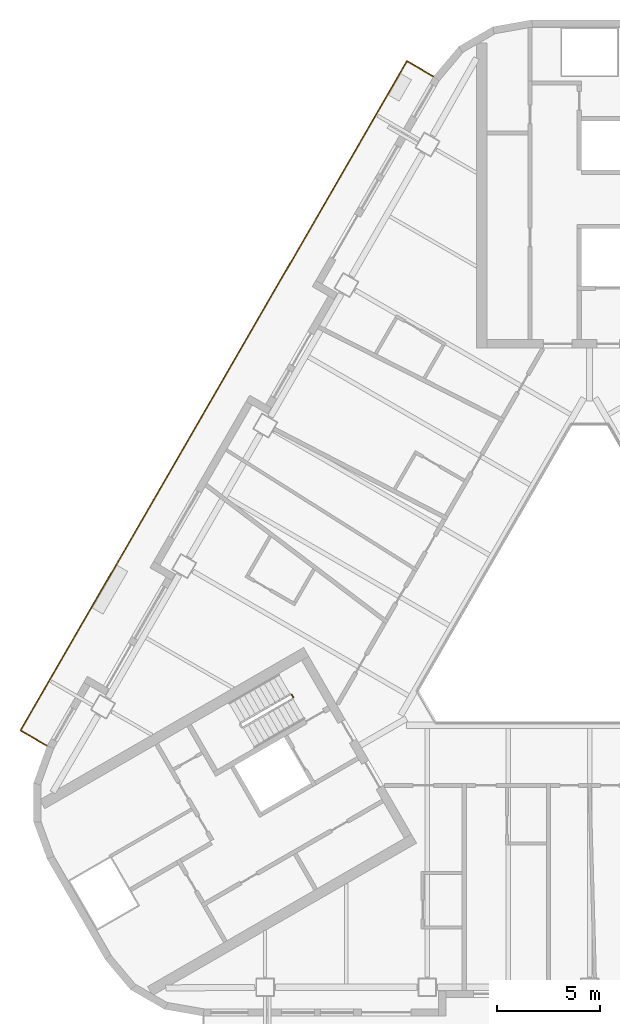
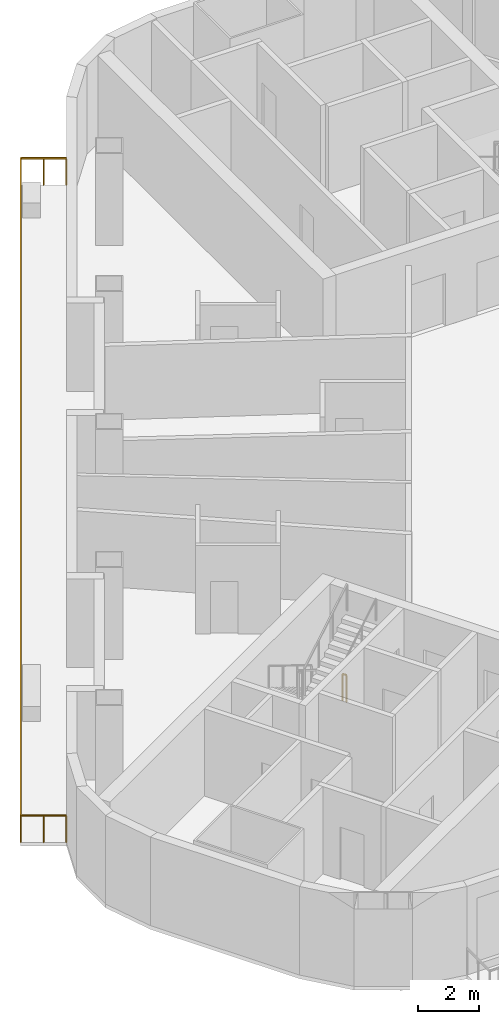
# One storey, part 11 of 14: 2 railings.
"""IFC4 building model written with IfcOpenShell, lengths in metres."""

from ifc_helpers import new_model, si_unit, direction, frame, origin, origin_2d, place, context, subcontext, project, spatial, rectangle, extrude, material, type_object, element, save


model = new_model("IFC4")

# Units and contexts
model_context = context("Model", 3, precision=1e-05, world=origin(), true_north=direction((0.0, 1.0)))
body_context = subcontext(model_context, "Body", "Model", "MODEL_VIEW")
ifc_project = project(units=[si_unit("LENGTHUNIT", "METRE"), si_unit("AREAUNIT", "SQUARE_METRE"), si_unit("VOLUMEUNIT", "CUBIC_METRE"), si_unit("PLANEANGLEUNIT", "RADIAN"), si_unit("MASSUNIT", "GRAM", prefix="KILO")], contexts=[model_context])

# Site, building, storey
site_placement = place(None, origin())
site = spatial("IfcSite", under=ifc_project, at=site_placement, CompositionType="ELEMENT")
building_placement = place(site_placement, origin())
building = spatial("IfcBuilding", under=site, at=building_placement, Name="Apuvela Tower Hotel", CompositionType="ELEMENT")
storey_placement = place(building_placement, frame((0.0, 0.0, 87.199951171875)))
storey = spatial("IfcBuildingStorey", under=building, at=storey_placement, Name="L19", CompositionType="ELEMENT", Elevation=87.199951171875)

# Railings
ifc_material_1 = material(Name="Steel S275 balustrade", Category="steel")
railing_type_1 = type_object("IfcRailingType", Name="COR-GUARD-1100", PredefinedType="GUARDRAIL", material=ifc_material_1)
railing_1_placement = place(storey_placement, frame((-14.500732421875, -3.984130859375, 0.0)))
element("IfcRailing", 1, at=railing_1_placement, inside=storey, type_object=railing_type_1, Name="L19 ST2 stair guard 4", PredefinedType="GUARDRAIL", context=body_context, shape_type="SweptSolid", body=[
    extrude(rectangle(XDim=0.048095703125, YDim=0.048095703125, at=origin_2d()), frame((0.0, 0.0, 1.076171875), z_axis=(0.499816412211, -0.866131372301, 0.0), x_axis=(0.866131372301, 0.499816412211, 0.0)), (0.0, 0.0, 1.0), 0.14990234375),
    extrude(rectangle(XDim=0.0419921875, YDim=0.0419921875, at=origin_2d()), origin(), (0.0, 0.0, 1.0), 1.052001953125),
    extrude(rectangle(XDim=0.0419921875, YDim=0.0419921875, at=origin_2d()), frame((0.074951171875, -0.1298828125, 0.0)), (0.0, 0.0, 1.0), 1.052001953125),
])
ifc_material_2 = material(Name="Stainless steel 316 rail with laminated glass infill", Category="steel")
railing_type_2 = type_object("IfcRailingType", Name="ENV-GUARD-1100", PredefinedType="GUARDRAIL", material=ifc_material_2)
railing_2_placement = place(storey_placement, frame((-7.59228515625, 26.110107421875, 0.0)))
element("IfcRailing", 2, at=railing_2_placement, inside=storey, type_object=railing_type_2, Name="Balcony guard NW L19", PredefinedType="GUARDRAIL", context=body_context, shape_type="SweptSolid", body=[
    extrude(rectangle(XDim=0.050048828125, YDim=0.050048828125, at=origin_2d()), frame((0.0, 0.0, 1.0751953125), z_axis=(-0.86599040064, 0.500060622324, 0.0), x_axis=(-0.500060622324, -0.86599040064, 0.0)), (0.0, 0.0, 1.0), 1.499755859375),
    extrude(rectangle(XDim=0.050048828125, YDim=0.050048828125, at=origin_2d()), frame((-1.298828125, 0.75, 1.0751953125), z_axis=(-0.500000437506, -0.86602515119, 0.0), x_axis=(0.86602515119, -0.500000437506, 0.0)), (0.0, 0.0, 1.0), 37.6318359375),
    extrude(rectangle(XDim=0.050048828125, YDim=0.050048828125, at=origin_2d()), frame((-20.11474609375, -31.840087890625, 1.0751953125), z_axis=(0.866031096941, -0.499990139034, 0.0), x_axis=(0.499990139034, 0.866031096941, 0.0)), (0.0, 0.0, 1.0), 1.5),
    extrude(rectangle(XDim=0.0400390625, YDim=0.0400390625, at=origin_2d()), origin(), (0.0, 0.0, 1.0), 1.050048828125),
    extrude(rectangle(XDim=0.0400390625, YDim=0.0400390625, at=origin_2d()), frame((-0.6494140625, 0.375, 0.0)), (0.0, 0.0, 1.0), 1.050048828125),
    extrude(rectangle(XDim=0.0400390625, YDim=0.0400390625, at=origin_2d()), frame((-1.298828125, 0.75, 0.0)), (0.0, 0.0, 1.0), 1.050048828125),
    extrude(rectangle(XDim=0.0400390625, YDim=0.0400390625, at=origin_2d()), frame((-1.88671875, -0.2685546875, 0.0)), (0.0, 0.0, 1.0), 1.050048828125),
    extrude(rectangle(XDim=0.0400390625, YDim=0.0400390625, at=origin_2d()), frame((-2.474853515625, -1.286865234375, 0.0)), (0.0, 0.0, 1.0), 1.050048828125),
    extrude(rectangle(XDim=0.0400390625, YDim=0.0400390625, at=origin_2d()), frame((-3.062744140625, -2.305419921875, 0.0)), (0.0, 0.0, 1.0), 1.050048828125),
    extrude(rectangle(XDim=0.0400390625, YDim=0.0400390625, at=origin_2d()), frame((-3.65087890625, -3.32373046875, 0.0)), (0.0, 0.0, 1.0), 1.050048828125),
    extrude(rectangle(XDim=0.0400390625, YDim=0.0400390625, at=origin_2d()), frame((-4.23876953125, -4.34228515625, 0.0)), (0.0, 0.0, 1.0), 1.050048828125),
    extrude(rectangle(XDim=0.0400390625, YDim=0.0400390625, at=origin_2d()), frame((-4.826904296875, -5.360595703125, 0.0)), (0.0, 0.0, 1.0), 1.050048828125),
    extrude(rectangle(XDim=0.0400390625, YDim=0.0400390625, at=origin_2d()), frame((-5.414794921875, -6.379150390625, 0.0)), (0.0, 0.0, 1.0), 1.050048828125),
    extrude(rectangle(XDim=0.0400390625, YDim=0.0400390625, at=origin_2d()), frame((-6.0029296875, -7.3974609375, 0.0)), (0.0, 0.0, 1.0), 1.050048828125),
    extrude(rectangle(XDim=0.0400390625, YDim=0.0400390625, at=origin_2d()), frame((-6.5908203125, -8.416015625, 0.0)), (0.0, 0.0, 1.0), 1.050048828125),
    extrude(rectangle(XDim=0.0400390625, YDim=0.0400390625, at=origin_2d()), frame((-7.1787109375, -9.434326171875, 0.0)), (0.0, 0.0, 1.0), 1.050048828125),
    extrude(rectangle(XDim=0.0400390625, YDim=0.0400390625, at=origin_2d()), frame((-7.766845703125, -10.452880859375, 0.0)), (0.0, 0.0, 1.0), 1.050048828125),
    extrude(rectangle(XDim=0.0400390625, YDim=0.0400390625, at=origin_2d()), frame((-8.354736328125, -11.47119140625, 0.0)), (0.0, 0.0, 1.0), 1.050048828125),
    extrude(rectangle(XDim=0.0400390625, YDim=0.0400390625, at=origin_2d()), frame((-8.94287109375, -12.48974609375, 0.0)), (0.0, 0.0, 1.0), 1.050048828125),
    extrude(rectangle(XDim=0.0400390625, YDim=0.0400390625, at=origin_2d()), frame((-9.53076171875, -13.508056640625, 0.0)), (0.0, 0.0, 1.0), 1.050048828125),
    extrude(rectangle(XDim=0.0400390625, YDim=0.0400390625, at=origin_2d()), frame((-10.118896484375, -14.526611328125, 0.0)), (0.0, 0.0, 1.0), 1.050048828125),
    extrude(rectangle(XDim=0.0400390625, YDim=0.0400390625, at=origin_2d()), frame((-10.706787109375, -15.544921875, 0.0)), (0.0, 0.0, 1.0), 1.050048828125),
    extrude(rectangle(XDim=0.0400390625, YDim=0.0400390625, at=origin_2d()), frame((-11.294677734375, -16.5634765625, 0.0)), (0.0, 0.0, 1.0), 1.050048828125),
    extrude(rectangle(XDim=0.0400390625, YDim=0.0400390625, at=origin_2d()), frame((-11.8828125, -17.58203125, 0.0)), (0.0, 0.0, 1.0), 1.050048828125),
    extrude(rectangle(XDim=0.0400390625, YDim=0.0400390625, at=origin_2d()), frame((-12.470703125, -18.600341796875, 0.0)), (0.0, 0.0, 1.0), 1.050048828125),
    extrude(rectangle(XDim=0.0400390625, YDim=0.0400390625, at=origin_2d()), frame((-13.058837890625, -19.618896484375, 0.0)), (0.0, 0.0, 1.0), 1.050048828125),
    extrude(rectangle(XDim=0.0400390625, YDim=0.0400390625, at=origin_2d()), frame((-13.646728515625, -20.63720703125, 0.0)), (0.0, 0.0, 1.0), 1.050048828125),
    extrude(rectangle(XDim=0.0400390625, YDim=0.0400390625, at=origin_2d()), frame((-14.23486328125, -21.65576171875, 0.0)), (0.0, 0.0, 1.0), 1.050048828125),
    extrude(rectangle(XDim=0.0400390625, YDim=0.0400390625, at=origin_2d()), frame((-14.82275390625, -22.674072265625, 0.0)), (0.0, 0.0, 1.0), 1.050048828125),
    extrude(rectangle(XDim=0.0400390625, YDim=0.0400390625, at=origin_2d()), frame((-15.41064453125, -23.692626953125, 0.0)), (0.0, 0.0, 1.0), 1.050048828125),
    extrude(rectangle(XDim=0.0400390625, YDim=0.0400390625, at=origin_2d()), frame((-15.998779296875, -24.7109375, 0.0)), (0.0, 0.0, 1.0), 1.050048828125),
    extrude(rectangle(XDim=0.0400390625, YDim=0.0400390625, at=origin_2d()), frame((-16.586669921875, -25.7294921875, 0.0)), (0.0, 0.0, 1.0), 1.050048828125),
    extrude(rectangle(XDim=0.0400390625, YDim=0.0400390625, at=origin_2d()), frame((-17.1748046875, -26.747802734375, 0.0)), (0.0, 0.0, 1.0), 1.050048828125),
    extrude(rectangle(XDim=0.0400390625, YDim=0.0400390625, at=origin_2d()), frame((-17.7626953125, -27.766357421875, 0.0)), (0.0, 0.0, 1.0), 1.050048828125),
    extrude(rectangle(XDim=0.0400390625, YDim=0.0400390625, at=origin_2d()), frame((-18.350830078125, -28.78466796875, 0.0)), (0.0, 0.0, 1.0), 1.050048828125),
    extrude(rectangle(XDim=0.0400390625, YDim=0.0400390625, at=origin_2d()), frame((-18.938720703125, -29.80322265625, 0.0)), (0.0, 0.0, 1.0), 1.050048828125),
    extrude(rectangle(XDim=0.0400390625, YDim=0.0400390625, at=origin_2d()), frame((-19.52685546875, -30.821533203125, 0.0)), (0.0, 0.0, 1.0), 1.050048828125),
    extrude(rectangle(XDim=0.0400390625, YDim=0.0400390625, at=origin_2d()), frame((-20.11474609375, -31.840087890625, 0.0)), (0.0, 0.0, 1.0), 1.050048828125),
    extrude(rectangle(XDim=0.0400390625, YDim=0.0400390625, at=origin_2d()), frame((-19.46533203125, -32.215087890625, 0.0)), (0.0, 0.0, 1.0), 1.050048828125),
    extrude(rectangle(XDim=0.0400390625, YDim=0.0400390625, at=origin_2d()), frame((-18.815673828125, -32.590087890625, 0.0)), (0.0, 0.0, 1.0), 1.050048828125),
])

save(model, "model.ifc")
